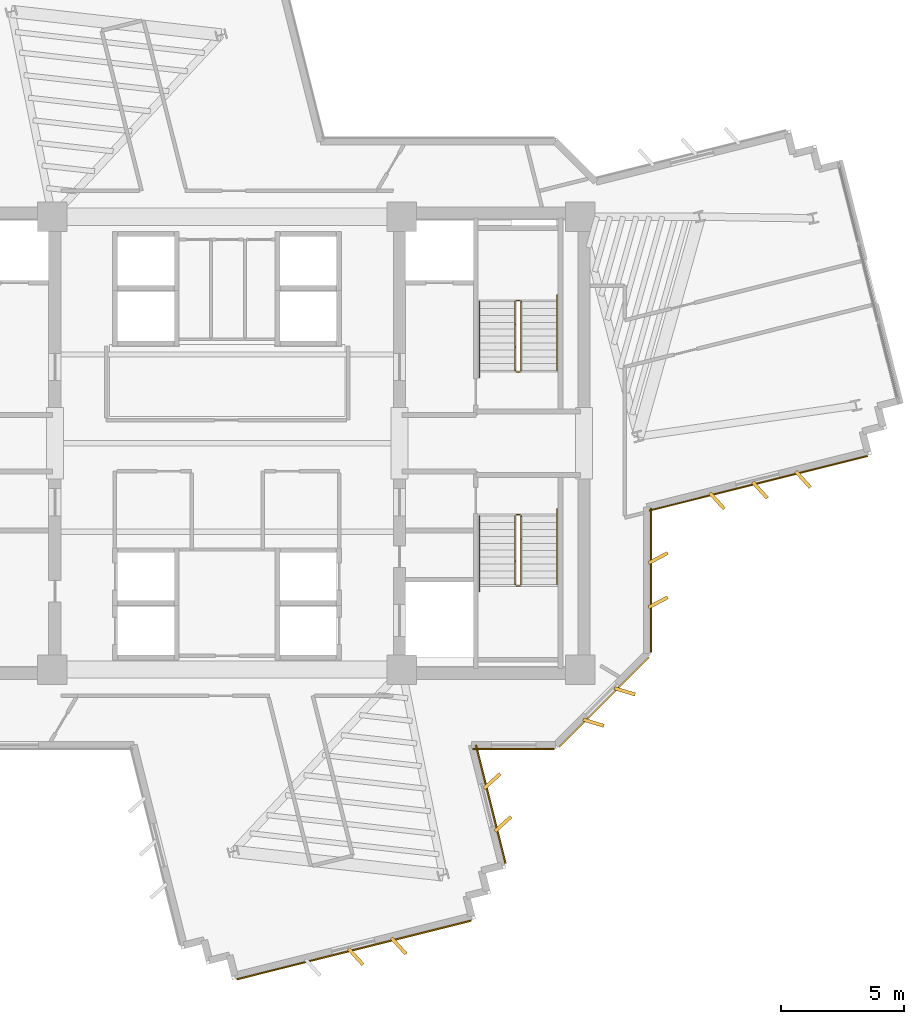
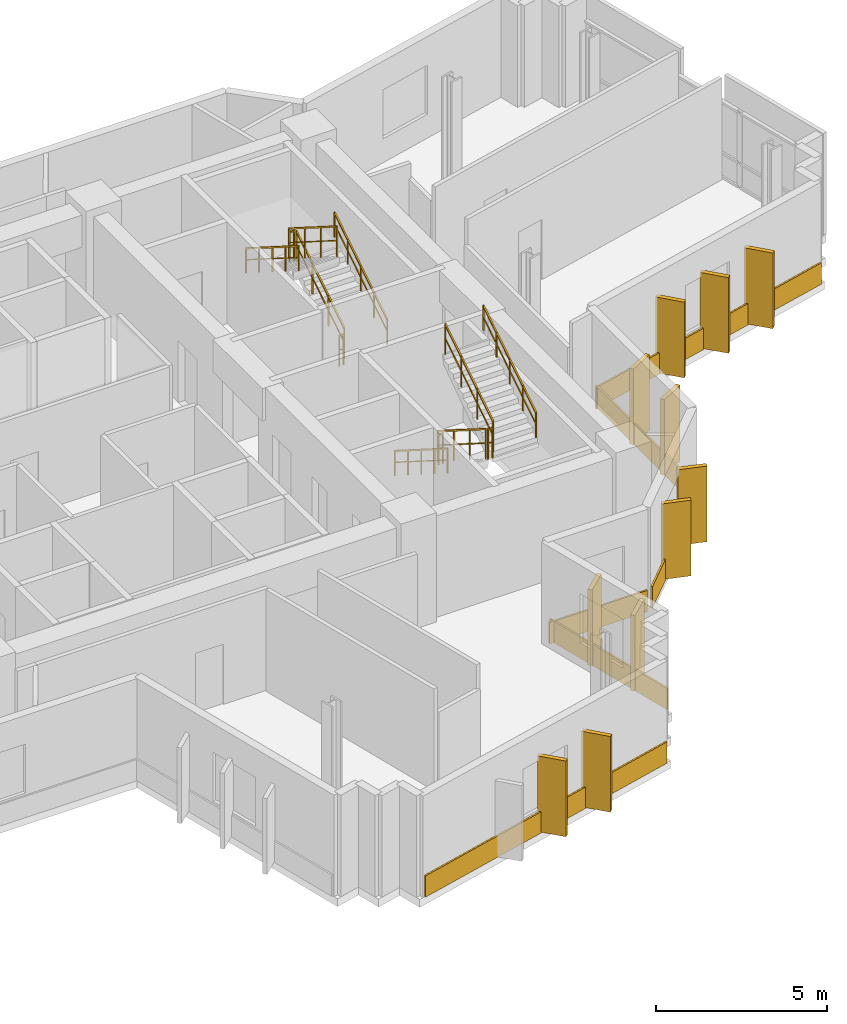
# One storey, part 12 of 13: 17 coverings, 12 railings.
"""IFC4 building model written with IfcOpenShell, lengths in metres."""

from ifc_helpers import new_model, si_unit, direction, frame, origin, origin_2d, place, context, subcontext, project, spatial, rectangle, extrude, source, transform, mapped, material, layer, layer_set, type_object, element, save


model = new_model("IFC4")

# Units and contexts
model_context = context("Model", 3, precision=1e-05, world=origin(), true_north=direction((0.0, 1.0)))
body_context = subcontext(model_context, "Body", "Model", "MODEL_VIEW")
ifc_project = project(units=[si_unit("LENGTHUNIT", "METRE"), si_unit("AREAUNIT", "SQUARE_METRE"), si_unit("VOLUMEUNIT", "CUBIC_METRE"), si_unit("PLANEANGLEUNIT", "RADIAN"), si_unit("MASSUNIT", "GRAM", prefix="KILO")], contexts=[model_context])

# Site, building, storey
site_placement = place(None, origin())
site = spatial("IfcSite", under=ifc_project, at=site_placement, CompositionType="ELEMENT")
building_placement = place(site_placement, origin())
building = spatial("IfcBuilding", under=site, at=building_placement, Name="Zahravan Cultural Tower", CompositionType="ELEMENT")
storey_placement = place(building_placement, frame((0.0, 0.0, 182.39990234375)))
storey = spatial("IfcBuildingStorey", under=building, at=storey_placement, Name="L42", CompositionType="ELEMENT", Elevation=182.39990234375)

# Railings
ifc_material_1 = material(Name="Steel ASTM A572 Grade 50", Category="steel")
railing_type_1 = type_object("IfcRailingType", Name="RL-STAIR-GRD1150", PredefinedType="BALUSTRADE", material=ifc_material_1)
railing_1_placement = place(storey_placement, frame((47.949951171875, 29.949951171875, 0.177490234375)))
element("IfcRailing", 1, at=railing_1_placement, inside=storey, type_object=railing_type_1, Name="L42 ST-E1 stair guard 1", PredefinedType="BALUSTRADE", context=body_context, shape_type="SweptSolid", body=[
    extrude(rectangle(XDim=0.05, YDim=0.05, at=origin_2d()), frame((0.0, 0.0, 1.0751953125), z_axis=(0.0, 0.844908973607, 0.534910110503), x_axis=(-1.0, 0.0, 0.0)), (0.0, 0.0, 1.0), 3.31396484375),
    extrude(rectangle(XDim=0.032, YDim=0.032, at=origin_2d()), frame((0.0, 0.0, 0.572021484375), z_axis=(0.0, 0.844908973607, 0.534910110503), x_axis=(-1.0, 0.0, 0.0)), (0.0, 0.0, 1.0), 3.31396484375),
    extrude(rectangle(XDim=0.04, YDim=0.04, at=origin_2d()), origin(), (0.0, 0.0, 1.0), 1.10009765625),
    extrude(rectangle(XDim=0.04, YDim=0.04, at=origin_2d()), frame((0.0, 0.933349609375, 0.5908203125)), (0.0, 0.0, 1.0), 1.10009765625),
    extrude(rectangle(XDim=0.04, YDim=0.04, at=origin_2d()), frame((0.0, 1.86669921875, 1.181884765625)), (0.0, 0.0, 1.0), 1.10009765625),
    extrude(rectangle(XDim=0.04, YDim=0.04, at=origin_2d()), frame((0.0, 2.800048828125, 1.772705078125)), (0.0, 0.0, 1.0), 1.10009765625),
])
railing_2_placement = place(storey_placement, frame((47.89990234375, 32.800048828125, 1.9501953125)))
element("IfcRailing", 2, at=railing_2_placement, inside=storey, type_object=railing_type_1, Name="L42 ST-E1 stair guard 2", PredefinedType="BALUSTRADE", context=body_context, shape_type="SweptSolid", body=[
    extrude(rectangle(XDim=0.05, YDim=0.05, at=origin_2d()), frame((0.0, 0.0, 1.0751953125), z_axis=(-1.0, 0.0, 0.0), x_axis=(0.0, -1.0, 0.0)), (0.0, 0.0, 1.0), 0.14990234375),
    extrude(rectangle(XDim=0.032, YDim=0.032, at=origin_2d()), frame((0.0, 0.0, 0.572021484375), z_axis=(-1.0, 0.0, 0.0), x_axis=(0.0, -1.0, 0.0)), (0.0, 0.0, 1.0), 0.14990234375),
    extrude(rectangle(XDim=0.04, YDim=0.04, at=origin_2d()), origin(), (0.0, 0.0, 1.0), 1.10009765625),
    extrude(rectangle(XDim=0.04, YDim=0.04, at=origin_2d()), frame((-0.14990234375, 0.0, 0.0)), (0.0, 0.0, 1.0), 1.10009765625),
])
railing_3_placement = place(storey_placement, frame((47.699951171875, 32.75, 2.12744140625)))
element("IfcRailing", 3, at=railing_3_placement, inside=storey, type_object=railing_type_1, Name="L42 ST-E1 stair guard 3", PredefinedType="BALUSTRADE", context=body_context, shape_type="SweptSolid", body=[
    extrude(rectangle(XDim=0.05, YDim=0.05, at=origin_2d()), frame((0.0, 0.0, 1.0751953125), z_axis=(0.0, -0.844908973607, 0.534910110503), x_axis=(1.0, 0.0, 0.0)), (0.0, 0.0, 1.0), 3.31396484375),
    extrude(rectangle(XDim=0.032, YDim=0.032, at=origin_2d()), frame((0.0, 0.0, 0.572021484375), z_axis=(0.0, -0.844908973607, 0.534910110503), x_axis=(1.0, 0.0, 0.0)), (0.0, 0.0, 1.0), 3.31396484375),
    extrude(rectangle(XDim=0.04, YDim=0.04, at=origin_2d()), origin(), (0.0, 0.0, 1.0), 1.10009765625),
    extrude(rectangle(XDim=0.04, YDim=0.04, at=origin_2d()), frame((0.0, -0.933349609375, 0.5908203125)), (0.0, 0.0, 1.0), 1.10009765625),
    extrude(rectangle(XDim=0.04, YDim=0.04, at=origin_2d()), frame((0.0, -1.86669921875, 1.181884765625)), (0.0, 0.0, 1.0), 1.10009765625),
    extrude(rectangle(XDim=0.04, YDim=0.04, at=origin_2d()), frame((0.0, -2.800048828125, 1.772705078125)), (0.0, 0.0, 1.0), 1.10009765625),
])
railing_4_placement = place(storey_placement, frame((47.89990234375, 29.89990234375, 0.0)))
element("IfcRailing", 4, at=railing_4_placement, inside=storey, type_object=railing_type_1, Name="L42 ST-E1 stair guard 4", PredefinedType="BALUSTRADE", context=body_context, shape_type="SweptSolid", body=[
    extrude(rectangle(XDim=0.05, YDim=0.05, at=origin_2d()), frame((0.0, 0.0, 1.0751953125), z_axis=(-1.0, 0.0, 0.0), x_axis=(0.0, -1.0, 0.0)), (0.0, 0.0, 1.0), 0.14990234375),
    extrude(rectangle(XDim=0.032, YDim=0.032, at=origin_2d()), frame((0.0, 0.0, 0.572021484375), z_axis=(-1.0, 0.0, 0.0), x_axis=(0.0, -1.0, 0.0)), (0.0, 0.0, 1.0), 0.14990234375),
    extrude(rectangle(XDim=0.04, YDim=0.04, at=origin_2d()), origin(), (0.0, 0.0, 1.0), 1.10009765625),
    extrude(rectangle(XDim=0.04, YDim=0.04, at=origin_2d()), frame((-0.14990234375, 0.0, 0.0)), (0.0, 0.0, 1.0), 1.10009765625),
])
railing_5_placement = place(storey_placement, frame((47.699951171875, 24.050048828125, 0.177490234375)))
element("IfcRailing", 5, at=railing_5_placement, inside=storey, type_object=railing_type_1, Name="L42 ST-E2 stair guard 1", PredefinedType="BALUSTRADE", context=body_context, shape_type="SweptSolid", body=[
    extrude(rectangle(XDim=0.05, YDim=0.05, at=origin_2d()), frame((0.0, 0.0, 1.0751953125), z_axis=(0.0, -0.844908973607, 0.534910110503), x_axis=(1.0, 0.0, 0.0)), (0.0, 0.0, 1.0), 3.31396484375),
    extrude(rectangle(XDim=0.032, YDim=0.032, at=origin_2d()), frame((0.0, 0.0, 0.572021484375), z_axis=(0.0, -0.844908973607, 0.534910110503), x_axis=(1.0, 0.0, 0.0)), (0.0, 0.0, 1.0), 3.31396484375),
    extrude(rectangle(XDim=0.04, YDim=0.04, at=origin_2d()), origin(), (0.0, 0.0, 1.0), 1.10009765625),
    extrude(rectangle(XDim=0.04, YDim=0.04, at=origin_2d()), frame((0.0, -0.933349609375, 0.5908203125)), (0.0, 0.0, 1.0), 1.10009765625),
    extrude(rectangle(XDim=0.04, YDim=0.04, at=origin_2d()), frame((0.0, -1.86669921875, 1.181884765625)), (0.0, 0.0, 1.0), 1.10009765625),
    extrude(rectangle(XDim=0.04, YDim=0.04, at=origin_2d()), frame((0.0, -2.800048828125, 1.772705078125)), (0.0, 0.0, 1.0), 1.10009765625),
])
railing_6_placement = place(storey_placement, frame((47.75, 21.199951171875, 1.9501953125)))
element("IfcRailing", 6, at=railing_6_placement, inside=storey, type_object=railing_type_1, Name="L42 ST-E2 stair guard 2", PredefinedType="BALUSTRADE", context=body_context, shape_type="SweptSolid", body=[
    extrude(rectangle(XDim=0.05, YDim=0.05, at=origin_2d()), frame((0.0, 0.0, 1.0751953125), z_axis=(1.0, 0.0, 0.0), x_axis=(0.0, 1.0, 0.0)), (0.0, 0.0, 1.0), 0.14990234375),
    extrude(rectangle(XDim=0.032, YDim=0.032, at=origin_2d()), frame((0.0, 0.0, 0.572021484375), z_axis=(1.0, 0.0, 0.0), x_axis=(0.0, 1.0, 0.0)), (0.0, 0.0, 1.0), 0.14990234375),
    extrude(rectangle(XDim=0.04, YDim=0.04, at=origin_2d()), origin(), (0.0, 0.0, 1.0), 1.10009765625),
    extrude(rectangle(XDim=0.04, YDim=0.04, at=origin_2d()), frame((0.14990234375, 0.0, 0.0)), (0.0, 0.0, 1.0), 1.10009765625),
])
railing_7_placement = place(storey_placement, frame((47.949951171875, 21.25, 2.12744140625)))
element("IfcRailing", 7, at=railing_7_placement, inside=storey, type_object=railing_type_1, Name="L42 ST-E2 stair guard 3", PredefinedType="BALUSTRADE", context=body_context, shape_type="SweptSolid", body=[
    extrude(rectangle(XDim=0.05, YDim=0.05, at=origin_2d()), frame((0.0, 0.0, 1.0751953125), z_axis=(0.0, 0.844908973607, 0.534910110503), x_axis=(-1.0, 0.0, 0.0)), (0.0, 0.0, 1.0), 3.31396484375),
    extrude(rectangle(XDim=0.032, YDim=0.032, at=origin_2d()), frame((0.0, 0.0, 0.572021484375), z_axis=(0.0, 0.844908973607, 0.534910110503), x_axis=(-1.0, 0.0, 0.0)), (0.0, 0.0, 1.0), 3.31396484375),
    extrude(rectangle(XDim=0.04, YDim=0.04, at=origin_2d()), origin(), (0.0, 0.0, 1.0), 1.10009765625),
    extrude(rectangle(XDim=0.04, YDim=0.04, at=origin_2d()), frame((0.0, 0.933349609375, 0.5908203125)), (0.0, 0.0, 1.0), 1.10009765625),
    extrude(rectangle(XDim=0.04, YDim=0.04, at=origin_2d()), frame((0.0, 1.86669921875, 1.181884765625)), (0.0, 0.0, 1.0), 1.10009765625),
    extrude(rectangle(XDim=0.04, YDim=0.04, at=origin_2d()), frame((0.0, 2.800048828125, 1.772705078125)), (0.0, 0.0, 1.0), 1.10009765625),
])
railing_8_placement = place(storey_placement, frame((47.75, 24.10009765625, 0.0)))
element("IfcRailing", 8, at=railing_8_placement, inside=storey, type_object=railing_type_1, Name="L42 ST-E2 stair guard 4", PredefinedType="BALUSTRADE", context=body_context, shape_type="SweptSolid", body=[
    extrude(rectangle(XDim=0.05, YDim=0.05, at=origin_2d()), frame((0.0, 0.0, 1.0751953125), z_axis=(1.0, 0.0, 0.0), x_axis=(0.0, 1.0, 0.0)), (0.0, 0.0, 1.0), 0.14990234375),
    extrude(rectangle(XDim=0.032, YDim=0.032, at=origin_2d()), frame((0.0, 0.0, 0.572021484375), z_axis=(1.0, 0.0, 0.0), x_axis=(0.0, 1.0, 0.0)), (0.0, 0.0, 1.0), 0.14990234375),
    extrude(rectangle(XDim=0.04, YDim=0.04, at=origin_2d()), origin(), (0.0, 0.0, 1.0), 1.10009765625),
    extrude(rectangle(XDim=0.04, YDim=0.04, at=origin_2d()), frame((0.14990234375, 0.0, 0.0)), (0.0, 0.0, 1.0), 1.10009765625),
])
railing_type_2 = type_object("IfcRailingType", Name="RL-STAIR-HR900", PredefinedType="HANDRAIL", material=ifc_material_1)
railing_9_placement = place(storey_placement, frame((49.39990234375, 29.949951171875, 0.177490234375)))
element("IfcRailing", 9, at=railing_9_placement, inside=storey, type_object=railing_type_2, Name="L42 ST-E1 stair handrail 1", PredefinedType="HANDRAIL", context=body_context, shape_type="SweptSolid", body=[
    extrude(rectangle(XDim=0.05, YDim=0.05, at=origin_2d()), frame((0.0, 0.0, 0.875), z_axis=(0.0, 0.844913916606, 0.534902302785), x_axis=(-1.0, 0.0, 0.0)), (0.0, 0.0, 1.0), 3.6455078125),
    extrude(rectangle(XDim=0.032, YDim=0.032, at=origin_2d()), frame((0.0, 0.0, 0.468017578125), z_axis=(0.0, 0.844913916606, 0.534902302785), x_axis=(-1.0, 0.0, 0.0)), (0.0, 0.0, 1.0), 3.6455078125),
    extrude(rectangle(XDim=0.04, YDim=0.04, at=origin_2d()), origin(), (0.0, 0.0, 1.0), 0.89990234375),
    extrude(rectangle(XDim=0.04, YDim=0.04, at=origin_2d()), frame((0.0, 0.77001953125, 0.487548828125)), (0.0, 0.0, 1.0), 0.89990234375),
    extrude(rectangle(XDim=0.04, YDim=0.04, at=origin_2d()), frame((0.0, 1.5400390625, 0.97509765625)), (0.0, 0.0, 1.0), 0.89990234375),
    extrude(rectangle(XDim=0.04, YDim=0.04, at=origin_2d()), frame((0.0, 2.31005859375, 1.46240234375)), (0.0, 0.0, 1.0), 0.89990234375),
    extrude(rectangle(XDim=0.04, YDim=0.04, at=origin_2d()), frame((0.0, 3.080078125, 1.949951171875)), (0.0, 0.0, 1.0), 0.89990234375),
])
for number, where, name in (
    (10, (46.25, 32.75, 2.12744140625), "L42 ST-E1 stair handrail 2"),
    (11, (46.25, 24.050048828125, 0.177490234375), "L42 ST-E2 stair handrail 1"),
):
    element("IfcRailing", number, at=place(storey_placement, frame(where)), inside=storey, type_object=railing_type_2, Name=name, PredefinedType="HANDRAIL", context=body_context, shape_type="SweptSolid", body=[
        extrude(rectangle(XDim=0.05, YDim=0.05, at=origin_2d()), frame((0.0, 0.0, 0.875), z_axis=(0.0, -0.844913916606, 0.534902302785), x_axis=(1.0, 0.0, 0.0)), (0.0, 0.0, 1.0), 3.6455078125),
        extrude(rectangle(XDim=0.032, YDim=0.032, at=origin_2d()), frame((0.0, 0.0, 0.468017578125), z_axis=(0.0, -0.844913916606, 0.534902302785), x_axis=(1.0, 0.0, 0.0)), (0.0, 0.0, 1.0), 3.6455078125),
        extrude(rectangle(XDim=0.04, YDim=0.04, at=origin_2d()), origin(), (0.0, 0.0, 1.0), 0.89990234375),
        extrude(rectangle(XDim=0.04, YDim=0.04, at=origin_2d()), frame((0.0, -0.77001953125, 0.487548828125)), (0.0, 0.0, 1.0), 0.89990234375),
        extrude(rectangle(XDim=0.04, YDim=0.04, at=origin_2d()), frame((0.0, -1.5400390625, 0.97509765625)), (0.0, 0.0, 1.0), 0.89990234375),
        extrude(rectangle(XDim=0.04, YDim=0.04, at=origin_2d()), frame((0.0, -2.31005859375, 1.46240234375)), (0.0, 0.0, 1.0), 0.89990234375),
        extrude(rectangle(XDim=0.04, YDim=0.04, at=origin_2d()), frame((0.0, -3.080078125, 1.949951171875)), (0.0, 0.0, 1.0), 0.89990234375),
    ])
railing_10_placement = place(storey_placement, frame((49.39990234375, 21.25, 2.12744140625)))
element("IfcRailing", 12, at=railing_10_placement, inside=storey, type_object=railing_type_2, Name="L42 ST-E2 stair handrail 2", PredefinedType="HANDRAIL", context=body_context, shape_type="SweptSolid", body=[
    extrude(rectangle(XDim=0.05, YDim=0.05, at=origin_2d()), frame((0.0, 0.0, 0.875), z_axis=(0.0, 0.844913916606, 0.534902302785), x_axis=(-1.0, 0.0, 0.0)), (0.0, 0.0, 1.0), 3.6455078125),
    extrude(rectangle(XDim=0.032, YDim=0.032, at=origin_2d()), frame((0.0, 0.0, 0.468017578125), z_axis=(0.0, 0.844913916606, 0.534902302785), x_axis=(-1.0, 0.0, 0.0)), (0.0, 0.0, 1.0), 3.6455078125),
    extrude(rectangle(XDim=0.04, YDim=0.04, at=origin_2d()), origin(), (0.0, 0.0, 1.0), 0.89990234375),
    extrude(rectangle(XDim=0.04, YDim=0.04, at=origin_2d()), frame((0.0, 0.77001953125, 0.487548828125)), (0.0, 0.0, 1.0), 0.89990234375),
    extrude(rectangle(XDim=0.04, YDim=0.04, at=origin_2d()), frame((0.0, 1.5400390625, 0.97509765625)), (0.0, 0.0, 1.0), 0.89990234375),
    extrude(rectangle(XDim=0.04, YDim=0.04, at=origin_2d()), frame((0.0, 2.31005859375, 1.46240234375)), (0.0, 0.0, 1.0), 0.89990234375),
    extrude(rectangle(XDim=0.04, YDim=0.04, at=origin_2d()), frame((0.0, 3.080078125, 1.949951171875)), (0.0, 0.0, 1.0), 0.89990234375),
])

# Coverings
ifc_material_2 = material(Name="Terracotta ceramic cladding", Category="masonry")
ifc_layer = layer(ifc_material_2, 0.06005859375)
ifc_layer_set = layer_set([ifc_layer], Name="Terracotta ceramic cladding")
covering_type = type_object("IfcCoveringType", Name="COV-CLAD-TC60", PredefinedType="CLADDING", material=ifc_layer_set)
shared_shape_1 = source(origin(), body_context, "Body", "SweptSolid", [
    extrude(rectangle(XDim=9.820068359375, YDim=0.06005859375, at=origin_2d()), origin(), (0.0, 0.0, 1.0), 0.760009765625),
])
covering_1_placement = place(storey_placement, frame((41.156494140625, 6.410888671875, 0.02001953125), z_axis=(0.0, 0.0, 1.0), x_axis=(-0.970041854282, -0.242937854074, 0.0)))
element("IfcCovering", 13, at=covering_1_placement, inside=storey, type_object=covering_type, Name="L42 Terracotta Spandrel Cladding 19", PredefinedType="CLADDING", context=body_context, shape_type="MappedRepresentation", body=[
    mapped(shared_shape_1, transform((0.0, 0.0, 0.0), x_axis=(1.0, 0.0, 0.0), y_axis=(0.0, 1.0, 0.0), z_axis=(0.0, 0.0, 1.0), scale=1.0)),
])
shared_shape_2 = source(origin(), body_context, "Body", "SweptSolid", [
    extrude(rectangle(XDim=5.157958984375, YDim=0.06005859375, at=origin_2d()), origin(), (0.0, 0.0, 1.0), 0.760009765625),
])
covering_2_placement = place(storey_placement, frame((51.317626953125, 16.482421875, 0.02001953125), z_axis=(0.0, 0.0, 1.0), x_axis=(-0.707106781187, -0.707106781187, 0.0)))
element("IfcCovering", 14, at=covering_2_placement, inside=storey, type_object=covering_type, Name="L42 Terracotta Spandrel Cladding 12", PredefinedType="CLADDING", context=body_context, shape_type="MappedRepresentation", body=[
    mapped(shared_shape_2, transform((0.0, 0.0, 0.0), x_axis=(1.0, 0.0, 0.0), y_axis=(0.0, 1.0, 0.0), z_axis=(0.0, 0.0, 1.0), scale=1.0)),
])
shared_shape_3 = source(origin(), body_context, "Body", "SweptSolid", [
    extrude(rectangle(XDim=0.8798828125, YDim=0.139892578125, at=origin_2d()), origin(), (0.0, 0.0, 1.0), 2.699951171875),
])
for number, where, z_axis, x_axis, name in (
    (15, (59.3974609375, 25.530029296875, 0.05029296875), (0.0, 0.0, 1.0), (0.669895500577, -0.742455398194, 0.0), "L42 Herringbone Terracotta Fin 04"),
    (16, (57.6513671875, 25.0927734375, 0.05029296875), (0.0, 0.0, 1.0), (0.669895500577, -0.742455398194, 0.0), "L42 Herringbone Terracotta Fin 05"),
    (17, (55.9052734375, 24.655517578125, 0.05029296875), (0.0, 0.0, 1.0), (0.669895500577, -0.742455398194, 0.0), "L42 Herringbone Terracotta Fin 06"),
    (18, (53.510009765625, 22.33251953125, 0.05029296875), (0.0, 0.0, 1.0), (0.882947592859, 0.469471562786, 0.0), "L42 Herringbone Terracotta Fin 07"),
    (19, (53.510009765625, 20.532470703125, 0.05029296875), (0.0, 0.0, 1.0), (0.882947592859, 0.469471562786, 0.0), "L42 Herringbone Terracotta Fin 08"),
    (20, (52.155517578125, 16.917236328125, 0.05029296875), (0.0, 0.0, 1.0), (0.956304755963, -0.292371704723, 0.0), "L42 Herringbone Terracotta Fin 09"),
    (21, (50.8828125, 15.644287109375, 0.05029296875), (0.0, 0.0, 1.0), (0.956304755963, -0.292371704723, 0.0), "L42 Herringbone Terracotta Fin 10"),
    (22, (46.767822265625, 13.271484375, 0.05029296875), (0.0, 0.0, 1.0), (0.742443706198, 0.669908458766, 0.0), "L42 Herringbone Terracotta Fin 11"),
    (23, (47.205078125, 11.525390625, 0.05029296875), (0.0, 0.0, 1.0), (0.742443706198, 0.669908458766, 0.0), "L42 Herringbone Terracotta Fin 12"),
    (24, (42.9716796875, 6.57177734375, 0.05029296875), (0.0, 0.0, 1.0), (0.669908458766, -0.742443706198, 0.0), "L42 Herringbone Terracotta Fin 13"),
    (25, (41.2255859375, 6.134521484375, 0.05029296875), (0.0, 0.0, 1.0), (0.669908458766, -0.742443706198, 0.0), "L42 Herringbone Terracotta Fin 14"),
):
    element("IfcCovering", number, at=place(storey_placement, frame(where, z_axis=z_axis, x_axis=x_axis)), inside=storey, type_object=covering_type, Name=name, PredefinedType="CLADDING", context=body_context, shape_type="MappedRepresentation", body=[
        mapped(shared_shape_3, transform((0.0, 0.0, 0.0), x_axis=(1.0, 0.0, 0.0), y_axis=(0.0, 1.0, 0.0), z_axis=(0.0, 0.0, 1.0), scale=1.0)),
    ])
shared_shape_4 = source(origin(), body_context, "Body", "SweptSolid", [
    extrude(rectangle(XDim=9.14111328125, YDim=0.06005859375, at=origin_2d()), origin(), (0.0, 0.0, 1.0), 0.760009765625),
])
covering_3_placement = place(storey_placement, frame((57.582275390625, 25.369384765625, 0.02001953125), z_axis=(0.0, 0.0, 1.0), x_axis=(-0.970046094199, -0.242920923613, 0.0)))
element("IfcCovering", 26, at=covering_3_placement, inside=storey, type_object=covering_type, Name="L42 Terracotta Spandrel Cladding 10", PredefinedType="CLADDING", context=body_context, shape_type="MappedRepresentation", body=[
    mapped(shared_shape_4, transform((0.0, 0.0, 0.0), x_axis=(1.0, 0.0, 0.0), y_axis=(0.0, 1.0, 0.0), z_axis=(0.0, 0.0, 1.0), scale=1.0)),
])
shared_shape_5 = source(origin(), body_context, "Body", "SweptSolid", [
    extrude(rectangle(XDim=5.848876953125, YDim=0.06005859375, at=origin_2d()), origin(), (0.0, 0.0, 1.0), 0.760009765625),
])
covering_4_placement = place(storey_placement, frame((53.22509765625, 21.432373046875, 0.02001953125), z_axis=(0.0, 0.0, 1.0), x_axis=(0.0, -1.0, 0.0)))
element("IfcCovering", 27, at=covering_4_placement, inside=storey, type_object=covering_type, Name="L42 Terracotta Spandrel Cladding 11", PredefinedType="CLADDING", context=body_context, shape_type="MappedRepresentation", body=[
    mapped(shared_shape_5, transform((0.0, 0.0, 0.0), x_axis=(1.0, 0.0, 0.0), y_axis=(0.0, 1.0, 0.0), z_axis=(0.0, 0.0, 1.0), scale=1.0)),
])
shared_shape_6 = source(origin(), body_context, "Body", "SweptSolid", [
    extrude(rectangle(XDim=3.305908203125, YDim=0.06005859375, at=origin_2d()), origin(), (0.0, 0.0, 1.0), 0.760009765625),
])
covering_5_placement = place(storey_placement, frame((47.638916015625, 14.574951171875, 0.02001953125), z_axis=(0.0, 0.0, 1.0), x_axis=(-1.0, 0.0, 0.0)))
element("IfcCovering", 28, at=covering_5_placement, inside=storey, type_object=covering_type, Name="L42 Terracotta Spandrel Cladding 13", PredefinedType="CLADDING", context=body_context, shape_type="MappedRepresentation", body=[
    mapped(shared_shape_6, transform((0.0, 0.0, 0.0), x_axis=(1.0, 0.0, 0.0), y_axis=(0.0, 1.0, 0.0), z_axis=(0.0, 0.0, 1.0), scale=1.0)),
])
shared_shape_7 = source(origin(), body_context, "Body", "SweptSolid", [
    extrude(rectangle(XDim=4.953369140625, YDim=0.06005859375, at=origin_2d()), origin(), (0.0, 0.0, 1.0), 0.760009765625),
])
covering_6_placement = place(storey_placement, frame((46.7099609375, 12.3291015625, 0.02001953125), z_axis=(0.0, 0.0, 1.0), x_axis=(0.242937854074, -0.970041854282, 0.0)))
element("IfcCovering", 29, at=covering_6_placement, inside=storey, type_object=covering_type, Name="L42 Terracotta Spandrel Cladding 14", PredefinedType="CLADDING", context=body_context, shape_type="MappedRepresentation", body=[
    mapped(shared_shape_7, transform((0.0, 0.0, 0.0), x_axis=(1.0, 0.0, 0.0), y_axis=(0.0, 1.0, 0.0), z_axis=(0.0, 0.0, 1.0), scale=1.0)),
])

save(model, "model.ifc")
